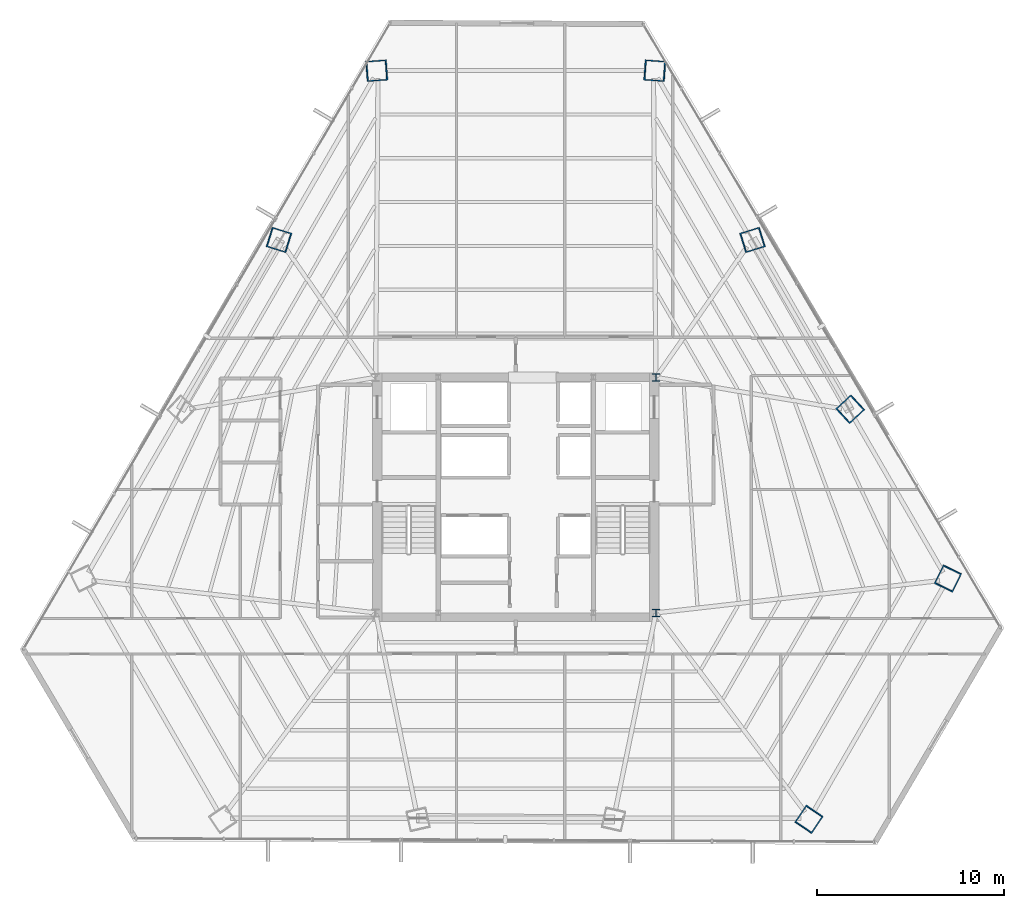
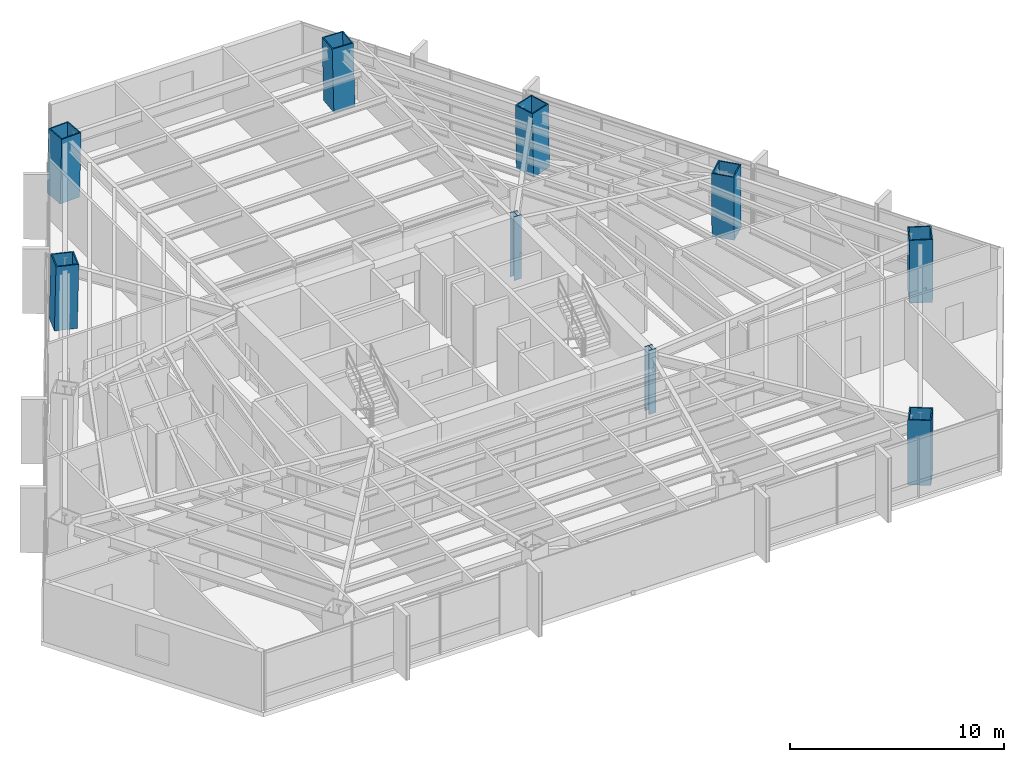
# One storey, part 3 of 37: 9 columns.
"""IFC4 building model written with IfcOpenShell, lengths in metres."""

from ifc_helpers import new_model, si_unit, direction, frame, origin, origin_2d, place, context, subcontext, project, spatial, hollow_rectangle, i_section, extrude, source, transform, mapped, material, material_profile, profile_set, type_object, type_shapes, element, save


model = new_model("IFC4")

# Units and contexts
model_context = context("Model", 3, precision=1e-05, world=origin(), true_north=direction((0.0, 1.0)))
body_context = subcontext(model_context, "Body", "Model", "MODEL_VIEW")
ifc_project = project(units=[si_unit("LENGTHUNIT", "METRE"), si_unit("AREAUNIT", "SQUARE_METRE"), si_unit("VOLUMEUNIT", "CUBIC_METRE"), si_unit("PLANEANGLEUNIT", "RADIAN"), si_unit("MASSUNIT", "GRAM", prefix="KILO")], contexts=[model_context])

# Site, building, storey
site_placement = place(None, origin())
site = spatial("IfcSite", under=ifc_project, at=site_placement, CompositionType="ELEMENT")
building_placement = place(site_placement, origin())
building = spatial("IfcBuilding", under=site, at=building_placement, Name="Caelisora Broadcast Tower", CompositionType="ELEMENT")
storey_placement = place(building_placement, frame((0.0, 0.0, 105.39990234375)))
storey = spatial("IfcBuildingStorey", under=building, at=storey_placement, Name="L27", CompositionType="ELEMENT", Elevation=105.39990234375)

# Columns
ifc_material_1 = material(Name="Steel Grade 350 L15 (AS/NZS 3678)", Category="steel")
ifc_material_profile_1 = material_profile(ifc_material_1, hollow_rectangle(XDim=1.10009765625, YDim=1.10009765625, WallThickness=0.06005859375, at=origin_2d()), Name="Steel Grade 350 L15 (AS/NZS 3678)")
ifc_profile_set_1 = profile_set([ifc_material_profile_1], Name="Steel Grade 350 L15 (AS/NZS 3678)")
column_type_1 = type_object("IfcColumnType", Name="MC03", PredefinedType="COLUMN", material=ifc_profile_set_1)
shared_shape_1 = source(origin(), body_context, "Body", "SweptSolid", [
    extrude(hollow_rectangle(XDim=1.10009765625, YDim=1.10009765625, WallThickness=0.06005859375, at=origin_2d()), origin(), (0.0, 0.0, 1.0), 3.65087890625),
])
for number, where, z_axis, x_axis, name in (
    (1, (25.3203125, 37.35595703125, 0.0), (0.01939269685, -0.00601842316, 0.999793829693), (0.296399214872, 0.955064136811, 0.0), "L27 column MC03"),
    (2, (55.906494140625, 28.302978515625, 0.0), (-0.014912316331, -0.013775502979, 0.999793907933), (0.678553674548, -0.734550822447, 0.0), "L27 column MC03"),
    (3, (50.6796875, 37.35595703125, 0.0), (-0.01939269685, -0.00601842316, 0.999793829693), (0.296399214872, -0.955064136811, 0.0), "L27 column MC03"),
):
    element("IfcColumn", number, at=place(storey_placement, frame(where, z_axis=z_axis, x_axis=x_axis)), inside=storey, type_object=column_type_1, Name=name, PredefinedType="COLUMN", context=body_context, shape_type="MappedRepresentation", body=[
        mapped(shared_shape_1, transform((0.0, 0.0, 0.0), scale=1.0)),
    ])
ifc_material_2 = material(Name="Steel Grade 350 (AS/NZS 3679.2)", Category="steel")
ifc_material_profile_2 = material_profile(ifc_material_2, i_section(OverallWidth=0.39990234375, OverallDepth=0.39990234375, WebThickness=0.02001953125, FlangeThickness=0.031982421875, at=origin_2d()), Name="Steel Grade 350 (AS/NZS 3679.2)")
ifc_profile_set_2 = profile_set([ifc_material_profile_2], Name="Steel Grade 350 (AS/NZS 3679.2)")
column_type_2 = type_object("IfcColumnType", Name="CC02", PredefinedType="COLUMN", material=ifc_profile_set_2)
shared_shape_2 = source(origin(), body_context, "Body", "SweptSolid", [
    extrude(i_section(OverallWidth=0.39990234375, OverallDepth=0.39990234375, WebThickness=0.02001953125, FlangeThickness=0.031982421875, at=origin_2d()), origin(), (0.0, 0.0, 1.0), 3.650146484375),
])
type_shapes(column_type_2, [shared_shape_2])
for number, where, z_axis, x_axis, name in (
    (4, (45.5, 17.39990234375, 0.0), (0.0, 0.0, 1.0), (1.0, 0.0, 0.0), "L27 column CC02"),
    (5, (45.5, 30.0, 0.0), (0.0, 0.0, 1.0), (1.0, 0.0, 0.0), "L27 column CC02"),
):
    element("IfcColumn", number, at=place(storey_placement, frame(where, z_axis=z_axis, x_axis=x_axis)), inside=storey, type_object=column_type_2, Name=name, PredefinedType="COLUMN", context=body_context, shape_type="MappedRepresentation", body=[
        mapped(shared_shape_2, transform((0.0, 0.0, 0.0), scale=1.0)),
    ])
shared_shape_3 = source(origin(), body_context, "Body", "SweptSolid", [
    extrude(hollow_rectangle(XDim=1.10009765625, YDim=1.10009765625, WallThickness=0.06005859375, at=origin_2d()), origin(), (0.0, 0.0, 1.0), 3.651123046875),
])
type_shapes(column_type_1, [shared_shape_1, shared_shape_3])
for number, where, z_axis, x_axis, name in (
    (6, (45.452880859375, 46.408935546875, 0.0), (-0.023804333123, 0.001738518711, 0.999715125062), (-0.072839705548, -0.997343660578, 0.0), "L27 column MC03"),
    (7, (30.547119140625, 46.408935546875, 0.0), (0.023804333123, 0.001738518711, 0.999715125062), (-0.072839705548, 0.997343660578, 0.0), "L27 column MC03"),
    (8, (53.68017578125, 6.341064453125, 0.0), (0.013440068782, 0.019792340097, 0.999713772949), (-0.827290216258, 0.561774775229, 0.0), "L27 column MC03"),
    (9, (61.13330078125, 19.25, 0.0), (-0.010431098089, -0.021530856313, 0.999713766245), (0.899947055326, -0.435999194506, 0.0), "L27 column MC03"),
):
    element("IfcColumn", number, at=place(storey_placement, frame(where, z_axis=z_axis, x_axis=x_axis)), inside=storey, type_object=column_type_1, Name=name, PredefinedType="COLUMN", context=body_context, shape_type="MappedRepresentation", body=[
        mapped(shared_shape_3, transform((0.0, 0.0, 0.0), scale=1.0)),
    ])

save(model, "model.ifc")
